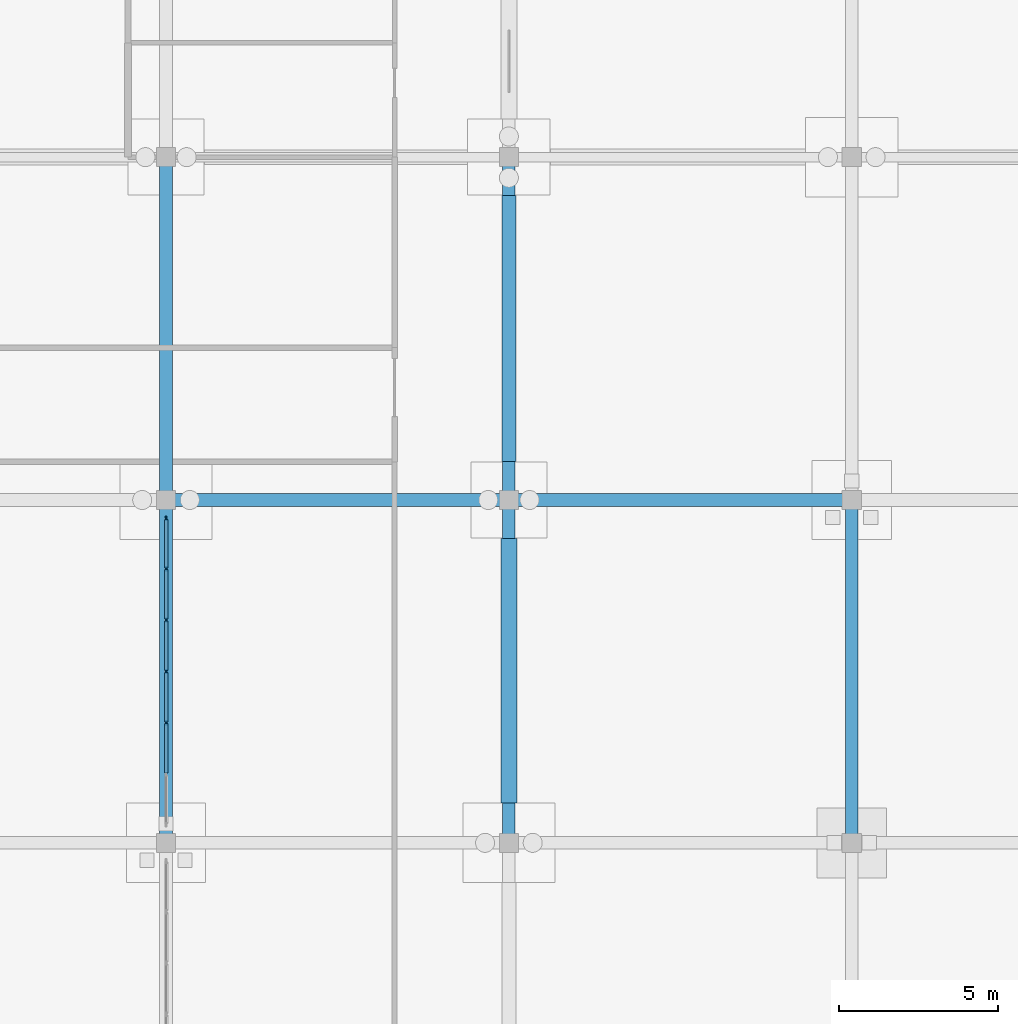
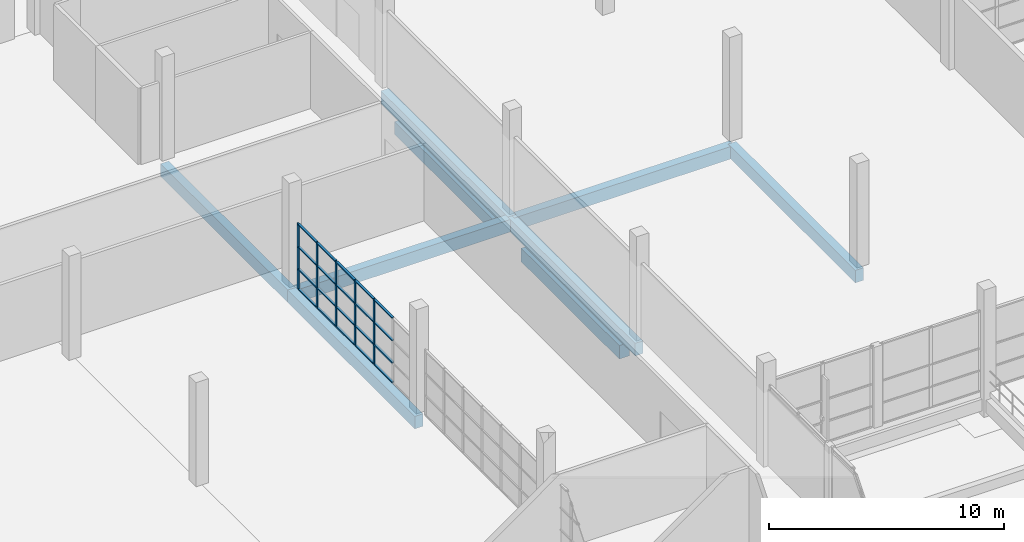
# One storey, part 45 of 138: 25 members, 9 beams, 1 element without a shape of its own.
"""IFC4 building model written with IfcOpenShell, lengths in metres."""

from ifc_helpers import new_model, si_unit, direction, frame, origin, origin_2d, place, context, subcontext, project, spatial, rectangle, extrude, material, material_profile, profile_set, type_object, element, aggregate, save


model = new_model("IFC4")

# Units and contexts
model_context = context("Model", 3, precision=1e-05, world=origin(), true_north=direction((0.0, 1.0)))
body_context = subcontext(model_context, "Body", "Model", "MODEL_VIEW")
ifc_project = project(units=[si_unit("LENGTHUNIT", "METRE"), si_unit("AREAUNIT", "SQUARE_METRE"), si_unit("VOLUMEUNIT", "CUBIC_METRE"), si_unit("PLANEANGLEUNIT", "RADIAN"), si_unit("MASSUNIT", "GRAM", prefix="KILO")], contexts=[model_context])

# Site, building, storey
site_placement = place(None, origin())
site = spatial("IfcSite", under=ifc_project, at=site_placement, CompositionType="ELEMENT")
building_placement = place(site_placement, origin())
building = spatial("IfcBuilding", under=site, at=building_placement, Name="Zwinboog Wholesale Market", CompositionType="ELEMENT")
storey_placement = place(building_placement, origin())
storey = spatial("IfcBuildingStorey", under=building, at=storey_placement, Name="L00", CompositionType="ELEMENT", Elevation=0.0)

# Beams
ifc_material_1 = material(Name="Precast concrete C45/55", Category="concrete")
ifc_material_profile_1 = material_profile(ifc_material_1, rectangle(XDim=0.39990234375, YDim=0.64990234375, at=origin_2d()), Name="PC 400x650")
ifc_profile_set_1 = profile_set([ifc_material_profile_1], Name="Precast concrete C45/55")
beam_type_1 = type_object("IfcBeamType", Name="BT-05", PredefinedType="BEAM", material=ifc_profile_set_1)
for number, where, z_axis, x_axis, name in (
    (1, (32.39990234375, 86.39990234375, -0.6669921875), (1.0, 0.0, 0.0), (0.0, 1.0, 0.0), "BG-05 (BMG-L00-0324-0864-0118)"),
    (2, (43.199951171875, 86.39990234375, -0.6669921875), (1.0, 0.0, 0.0), (0.0, 1.0, 0.0), "BG-05 (BMG-L00-0432-0864-0119)"),
):
    element("IfcBeam", number, at=place(storey_placement, frame(where, z_axis=z_axis, x_axis=x_axis)), inside=storey, type_object=beam_type_1, Name=name, PredefinedType="BEAM", context=body_context, shape_type="SweptSolid", body=[
        extrude(rectangle(XDim=0.39990234375, YDim=0.64990234375, at=origin_2d()), origin(), (0.0, 0.0, 1.0), 10.800048828125),
    ])
beam_1_placement = place(storey_placement, frame((32.39990234375, 75.60009765625, -0.6669921875), z_axis=(0.0, 1.0, 0.0), x_axis=(-1.0, 0.0, 0.0)))
element("IfcBeam", 3, at=beam_1_placement, inside=storey, type_object=beam_type_1, Name="BG-05 (BMG-L00-0324-0756-0254)", PredefinedType="BEAM", context=body_context, shape_type="SweptSolid", body=[
    extrude(rectangle(XDim=0.39990234375, YDim=0.64990234375, at=origin_2d()), origin(), (0.0, 0.0, 1.0), 10.7998046875),
])
beam_2_placement = place(storey_placement, frame((32.39990234375, 86.39990234375, -0.6669921875), z_axis=(0.0, 1.0, 0.0), x_axis=(-1.0, 0.0, 0.0)))
element("IfcBeam", 4, at=beam_2_placement, inside=storey, type_object=beam_type_1, Name="BG-05 (BMG-L00-0324-0864-0255)", PredefinedType="BEAM", context=body_context, shape_type="SweptSolid", body=[
    extrude(rectangle(XDim=0.39990234375, YDim=0.64990234375, at=origin_2d()), origin(), (0.0, 0.0, 1.0), 10.800048828125),
])
beam_3_placement = place(storey_placement, frame((43.199951171875, 75.60009765625, -0.6669921875), z_axis=(0.0, 1.0, 0.0), x_axis=(-1.0, 0.0, 0.0)))
element("IfcBeam", 5, at=beam_3_placement, inside=storey, type_object=beam_type_1, Name="BG-05 (BMG-L00-0432-0756-0266)", PredefinedType="BEAM", context=body_context, shape_type="SweptSolid", body=[
    extrude(rectangle(XDim=0.39990234375, YDim=0.64990234375, at=origin_2d()), origin(), (0.0, 0.0, 1.0), 10.7998046875),
])
beam_4_placement = place(storey_placement, frame((43.199951171875, 86.39990234375, -0.6669921875), z_axis=(0.0, 1.0, 0.0), x_axis=(-1.0, 0.0, 0.0)))
element("IfcBeam", 6, at=beam_4_placement, inside=storey, type_object=beam_type_1, Name="BG-05 (BMG-L00-0432-0864-0267)", PredefinedType="BEAM", context=body_context, shape_type="SweptSolid", body=[
    extrude(rectangle(XDim=0.39990234375, YDim=0.64990234375, at=origin_2d()), origin(), (0.0, 0.0, 1.0), 10.800048828125),
])
beam_5_placement = place(storey_placement, frame((54.0, 75.60009765625, -0.659912109375), z_axis=(0.0, 1.0, 0.0), x_axis=(-1.0, 0.0, 0.0)))
element("IfcBeam", 7, at=beam_5_placement, inside=storey, type_object=beam_type_1, Name="BG-05 (BMG-L00-0540-0756-0272)", PredefinedType="BEAM", context=body_context, shape_type="SweptSolid", body=[
    extrude(rectangle(XDim=0.39990234375, YDim=0.64990234375, at=origin_2d()), origin(), (0.0, 0.0, 1.0), 10.7998046875),
])
ifc_material_2 = material(Name="Concrete C35/45", Category="concrete")
ifc_material_profile_2 = material_profile(ifc_material_2, rectangle(XDim=0.5, YDim=0.699951171875, at=origin_2d()), Name="RC 500x700")
ifc_profile_set_2 = profile_set([ifc_material_profile_2], Name="Concrete C35/45")
beam_type_2 = type_object("IfcBeamType", Name="BT-12", PredefinedType="USERDEFINED", material=ifc_profile_set_2)
beam_6_placement = place(storey_placement, frame((43.199951171875, 76.85498046875, -1.550048828125), z_axis=(0.0, 1.0, 0.0), x_axis=(-1.0, 0.0, 0.0)))
element("IfcBeam", 8, at=beam_6_placement, inside=storey, type_object=beam_type_2, Name="GB-01 (BM-GB-0146)", ObjectType="GROUND_BEAM", PredefinedType="USERDEFINED", context=body_context, shape_type="SweptSolid", body=[
    extrude(rectangle(XDim=0.5, YDim=0.699951171875, at=origin_2d()), origin(), (0.0, 0.0, 1.0), 8.340087890625),
])
ifc_material_profile_3 = material_profile(ifc_material_2, rectangle(XDim=0.449951171875, YDim=0.64990234375, at=origin_2d()), Name="RC 450x650")
ifc_profile_set_3 = profile_set([ifc_material_profile_3], Name="Concrete C35/45")
beam_type_3 = type_object("IfcBeamType", Name="BT-13", PredefinedType="USERDEFINED", material=ifc_profile_set_3)
beam_7_placement = place(storey_placement, frame((43.199951171875, 87.60498046875, -1.52490234375), z_axis=(0.0, 1.0, 0.0), x_axis=(-1.0, 0.0, 0.0)))
element("IfcBeam", 9, at=beam_7_placement, inside=storey, type_object=beam_type_3, Name="GB-02 (BM-GB-0147)", ObjectType="GROUND_BEAM", PredefinedType="USERDEFINED", context=body_context, shape_type="SweptSolid", body=[
    extrude(rectangle(XDim=0.449951171875, YDim=0.64990234375, at=origin_2d()), origin(), (0.0, 0.0, 1.0), 8.39013671875),
])

# Curtain wall, members
ifc_material_3 = material(Name="Aluminium thermally broken curtain wall", Category="aluminium")
curtain_wall_type = type_object("IfcCurtainWallType", Name="CWT-INT-STALL", PredefinedType="USERDEFINED", material=ifc_material_3)
curtain_wall_placement = place(storey_placement, origin())
curtain_wall = element("IfcCurtainWall", 10, at=curtain_wall_placement, inside=storey, type_object=curtain_wall_type, Name="CW-07 (CW-STL-224)", ObjectType="STOREFRONT_GLAZING", PredefinedType="USERDEFINED")
ifc_material_4 = material(Name="Aluminium EN AW-6060", Category="aluminium")
ifc_material_profile_4 = material_profile(ifc_material_4, rectangle(XDim=0.06005859375, YDim=0.14990234375, at=origin_2d()), Name="AL 60x150")
ifc_profile_set_4 = profile_set([ifc_material_profile_4], Name="Aluminium EN AW-6060")
member_type_1 = type_object("IfcMemberType", Name="CWM-INT-60x120", PredefinedType="MULLION", material=ifc_profile_set_4)
member_1_placement = place(storey_placement, frame((32.39990234375, 79.38330078125, 0.0), z_axis=(0.0, 0.0, 1.0), x_axis=(-1.0, 0.0, 0.0)))
member_1 = element("IfcMember", 11, at=member_1_placement, type_object=member_type_1, Name="CW-07 mullion 3", PredefinedType="MULLION", context=body_context, shape_type="SweptSolid", body=[
    extrude(rectangle(XDim=0.06005859375, YDim=0.14990234375, at=origin_2d()), origin(), (0.0, 0.0, 1.0), 3.39990234375),
])
member_2_placement = place(storey_placement, frame((32.39990234375, 81.0, 0.0), z_axis=(0.0, 0.0, 1.0), x_axis=(-1.0, 0.0, 0.0)))
member_2 = element("IfcMember", 12, at=member_2_placement, type_object=member_type_1, Name="CW-07 mullion 4", PredefinedType="MULLION", context=body_context, shape_type="SweptSolid", body=[
    extrude(rectangle(XDim=0.06005859375, YDim=0.14990234375, at=origin_2d()), origin(), (0.0, 0.0, 1.0), 3.39990234375),
])
member_3_placement = place(storey_placement, frame((32.39990234375, 82.61669921875, 0.0), z_axis=(0.0, 0.0, 1.0), x_axis=(-1.0, 0.0, 0.0)))
member_3 = element("IfcMember", 13, at=member_3_placement, type_object=member_type_1, Name="CW-07 mullion 5", PredefinedType="MULLION", context=body_context, shape_type="SweptSolid", body=[
    extrude(rectangle(XDim=0.06005859375, YDim=0.14990234375, at=origin_2d()), origin(), (0.0, 0.0, 1.0), 3.39990234375),
])
member_4_placement = place(storey_placement, frame((32.39990234375, 84.2333984375, 0.0), z_axis=(0.0, 0.0, 1.0), x_axis=(-1.0, 0.0, 0.0)))
member_4 = element("IfcMember", 14, at=member_4_placement, type_object=member_type_1, Name="CW-07 mullion 6", PredefinedType="MULLION", context=body_context, shape_type="SweptSolid", body=[
    extrude(rectangle(XDim=0.06005859375, YDim=0.14990234375, at=origin_2d()), origin(), (0.0, 0.0, 1.0), 3.39990234375),
])
member_5_placement = place(storey_placement, frame((32.39990234375, 85.820068359375, 0.0), z_axis=(0.0, 0.0, 1.0), x_axis=(-1.0, 0.0, 0.0)))
member_5 = element("IfcMember", 15, at=member_5_placement, type_object=member_type_1, Name="CW-07 mullion 7", PredefinedType="MULLION", context=body_context, shape_type="SweptSolid", body=[
    extrude(rectangle(XDim=0.06005859375, YDim=0.14990234375, at=origin_2d()), origin(), (0.0, 0.0, 1.0), 3.39990234375),
])
ifc_material_profile_5 = material_profile(ifc_material_4, rectangle(XDim=0.110107421875, YDim=0.06005859375, at=origin_2d()), Name="AL 60x110")
ifc_profile_set_5 = profile_set([ifc_material_profile_5], Name="Aluminium EN AW-6060")
member_type_2 = type_object("IfcMemberType", Name="CWT-INT-60x100", PredefinedType="USERDEFINED", material=ifc_profile_set_5)
member_6_placement = place(storey_placement, frame((32.39990234375, 77.796630859375, 0.030029296875), z_axis=(0.0, 1.0, 0.0), x_axis=(-1.0, 0.0, 0.0)))
member_6 = element("IfcMember", 16, at=member_6_placement, type_object=member_type_2, Name="CW-07 transom 2.1", ObjectType="TRANSOM", PredefinedType="USERDEFINED", context=body_context, shape_type="SweptSolid", body=[
    extrude(rectangle(XDim=0.110107421875, YDim=0.06005859375, at=origin_2d()), origin(), (0.0, 0.0, 1.0), 1.556640625),
])
member_7_placement = place(storey_placement, frame((32.39990234375, 77.796630859375, 1.050048828125), z_axis=(0.0, 1.0, 0.0), x_axis=(-1.0, 0.0, 0.0)))
member_7 = element("IfcMember", 17, at=member_7_placement, type_object=member_type_2, Name="CW-07 transom 2.2", ObjectType="TRANSOM", PredefinedType="USERDEFINED", context=body_context, shape_type="SweptSolid", body=[
    extrude(rectangle(XDim=0.110107421875, YDim=0.06005859375, at=origin_2d()), origin(), (0.0, 0.0, 1.0), 1.556640625),
])
member_8_placement = place(storey_placement, frame((32.39990234375, 77.796630859375, 2.199951171875), z_axis=(0.0, 1.0, 0.0), x_axis=(-1.0, 0.0, 0.0)))
member_8 = element("IfcMember", 18, at=member_8_placement, type_object=member_type_2, Name="CW-07 transom 2.3", ObjectType="TRANSOM", PredefinedType="USERDEFINED", context=body_context, shape_type="SweptSolid", body=[
    extrude(rectangle(XDim=0.110107421875, YDim=0.06005859375, at=origin_2d()), origin(), (0.0, 0.0, 1.0), 1.556640625),
])
member_9_placement = place(storey_placement, frame((32.39990234375, 77.796630859375, 3.3701171875), z_axis=(0.0, 1.0, 0.0), x_axis=(-1.0, 0.0, 0.0)))
member_9 = element("IfcMember", 19, at=member_9_placement, type_object=member_type_2, Name="CW-07 transom 2.4", ObjectType="TRANSOM", PredefinedType="USERDEFINED", context=body_context, shape_type="SweptSolid", body=[
    extrude(rectangle(XDim=0.110107421875, YDim=0.06005859375, at=origin_2d()), origin(), (0.0, 0.0, 1.0), 1.556640625),
])
member_10_placement = place(storey_placement, frame((32.39990234375, 79.413330078125, 0.030029296875), z_axis=(0.0, 1.0, 0.0), x_axis=(-1.0, 0.0, 0.0)))
member_10 = element("IfcMember", 20, at=member_10_placement, type_object=member_type_2, Name="CW-07 transom 3.1", ObjectType="TRANSOM", PredefinedType="USERDEFINED", context=body_context, shape_type="SweptSolid", body=[
    extrude(rectangle(XDim=0.110107421875, YDim=0.06005859375, at=origin_2d()), origin(), (0.0, 0.0, 1.0), 1.556640625),
])
member_11_placement = place(storey_placement, frame((32.39990234375, 79.413330078125, 1.050048828125), z_axis=(0.0, 1.0, 0.0), x_axis=(-1.0, 0.0, 0.0)))
member_11 = element("IfcMember", 21, at=member_11_placement, type_object=member_type_2, Name="CW-07 transom 3.2", ObjectType="TRANSOM", PredefinedType="USERDEFINED", context=body_context, shape_type="SweptSolid", body=[
    extrude(rectangle(XDim=0.110107421875, YDim=0.06005859375, at=origin_2d()), origin(), (0.0, 0.0, 1.0), 1.556640625),
])
member_12_placement = place(storey_placement, frame((32.39990234375, 79.413330078125, 2.199951171875), z_axis=(0.0, 1.0, 0.0), x_axis=(-1.0, 0.0, 0.0)))
member_12 = element("IfcMember", 22, at=member_12_placement, type_object=member_type_2, Name="CW-07 transom 3.3", ObjectType="TRANSOM", PredefinedType="USERDEFINED", context=body_context, shape_type="SweptSolid", body=[
    extrude(rectangle(XDim=0.110107421875, YDim=0.06005859375, at=origin_2d()), origin(), (0.0, 0.0, 1.0), 1.556640625),
])
member_13_placement = place(storey_placement, frame((32.39990234375, 79.413330078125, 3.3701171875), z_axis=(0.0, 1.0, 0.0), x_axis=(-1.0, 0.0, 0.0)))
member_13 = element("IfcMember", 23, at=member_13_placement, type_object=member_type_2, Name="CW-07 transom 3.4", ObjectType="TRANSOM", PredefinedType="USERDEFINED", context=body_context, shape_type="SweptSolid", body=[
    extrude(rectangle(XDim=0.110107421875, YDim=0.06005859375, at=origin_2d()), origin(), (0.0, 0.0, 1.0), 1.556640625),
])
member_14_placement = place(storey_placement, frame((32.39990234375, 81.030029296875, 0.030029296875), z_axis=(0.0, 1.0, 0.0), x_axis=(-1.0, 0.0, 0.0)))
member_14 = element("IfcMember", 24, at=member_14_placement, type_object=member_type_2, Name="CW-07 transom 4.1", ObjectType="TRANSOM", PredefinedType="USERDEFINED", context=body_context, shape_type="SweptSolid", body=[
    extrude(rectangle(XDim=0.110107421875, YDim=0.06005859375, at=origin_2d()), origin(), (0.0, 0.0, 1.0), 1.556640625),
])
member_15_placement = place(storey_placement, frame((32.39990234375, 81.030029296875, 1.050048828125), z_axis=(0.0, 1.0, 0.0), x_axis=(-1.0, 0.0, 0.0)))
member_15 = element("IfcMember", 25, at=member_15_placement, type_object=member_type_2, Name="CW-07 transom 4.2", ObjectType="TRANSOM", PredefinedType="USERDEFINED", context=body_context, shape_type="SweptSolid", body=[
    extrude(rectangle(XDim=0.110107421875, YDim=0.06005859375, at=origin_2d()), origin(), (0.0, 0.0, 1.0), 1.556640625),
])
member_16_placement = place(storey_placement, frame((32.39990234375, 81.030029296875, 2.199951171875), z_axis=(0.0, 1.0, 0.0), x_axis=(-1.0, 0.0, 0.0)))
member_16 = element("IfcMember", 26, at=member_16_placement, type_object=member_type_2, Name="CW-07 transom 4.3", ObjectType="TRANSOM", PredefinedType="USERDEFINED", context=body_context, shape_type="SweptSolid", body=[
    extrude(rectangle(XDim=0.110107421875, YDim=0.06005859375, at=origin_2d()), origin(), (0.0, 0.0, 1.0), 1.556640625),
])
member_17_placement = place(storey_placement, frame((32.39990234375, 81.030029296875, 3.3701171875), z_axis=(0.0, 1.0, 0.0), x_axis=(-1.0, 0.0, 0.0)))
member_17 = element("IfcMember", 27, at=member_17_placement, type_object=member_type_2, Name="CW-07 transom 4.4", ObjectType="TRANSOM", PredefinedType="USERDEFINED", context=body_context, shape_type="SweptSolid", body=[
    extrude(rectangle(XDim=0.110107421875, YDim=0.06005859375, at=origin_2d()), origin(), (0.0, 0.0, 1.0), 1.556640625),
])
member_18_placement = place(storey_placement, frame((32.39990234375, 82.646728515625, 0.030029296875), z_axis=(0.0, 1.0, 0.0), x_axis=(-1.0, 0.0, 0.0)))
member_18 = element("IfcMember", 28, at=member_18_placement, type_object=member_type_2, Name="CW-07 transom 5.1", ObjectType="TRANSOM", PredefinedType="USERDEFINED", context=body_context, shape_type="SweptSolid", body=[
    extrude(rectangle(XDim=0.110107421875, YDim=0.06005859375, at=origin_2d()), origin(), (0.0, 0.0, 1.0), 1.556640625),
])
member_19_placement = place(storey_placement, frame((32.39990234375, 82.646728515625, 1.050048828125), z_axis=(0.0, 1.0, 0.0), x_axis=(-1.0, 0.0, 0.0)))
member_19 = element("IfcMember", 29, at=member_19_placement, type_object=member_type_2, Name="CW-07 transom 5.2", ObjectType="TRANSOM", PredefinedType="USERDEFINED", context=body_context, shape_type="SweptSolid", body=[
    extrude(rectangle(XDim=0.110107421875, YDim=0.06005859375, at=origin_2d()), origin(), (0.0, 0.0, 1.0), 1.556640625),
])
member_20_placement = place(storey_placement, frame((32.39990234375, 82.646728515625, 2.199951171875), z_axis=(0.0, 1.0, 0.0), x_axis=(-1.0, 0.0, 0.0)))
member_20 = element("IfcMember", 30, at=member_20_placement, type_object=member_type_2, Name="CW-07 transom 5.3", ObjectType="TRANSOM", PredefinedType="USERDEFINED", context=body_context, shape_type="SweptSolid", body=[
    extrude(rectangle(XDim=0.110107421875, YDim=0.06005859375, at=origin_2d()), origin(), (0.0, 0.0, 1.0), 1.556640625),
])
member_21_placement = place(storey_placement, frame((32.39990234375, 82.646728515625, 3.3701171875), z_axis=(0.0, 1.0, 0.0), x_axis=(-1.0, 0.0, 0.0)))
member_21 = element("IfcMember", 31, at=member_21_placement, type_object=member_type_2, Name="CW-07 transom 5.4", ObjectType="TRANSOM", PredefinedType="USERDEFINED", context=body_context, shape_type="SweptSolid", body=[
    extrude(rectangle(XDim=0.110107421875, YDim=0.06005859375, at=origin_2d()), origin(), (0.0, 0.0, 1.0), 1.556640625),
])
member_22_placement = place(storey_placement, frame((32.39990234375, 84.263427734375, 0.030029296875), z_axis=(0.0, 1.0, 0.0), x_axis=(-1.0, 0.0, 0.0)))
member_22 = element("IfcMember", 32, at=member_22_placement, type_object=member_type_2, Name="CW-07 transom 6.1", ObjectType="TRANSOM", PredefinedType="USERDEFINED", context=body_context, shape_type="SweptSolid", body=[
    extrude(rectangle(XDim=0.110107421875, YDim=0.06005859375, at=origin_2d()), origin(), (0.0, 0.0, 1.0), 1.526611328125),
])
member_23_placement = place(storey_placement, frame((32.39990234375, 84.263427734375, 1.050048828125), z_axis=(0.0, 1.0, 0.0), x_axis=(-1.0, 0.0, 0.0)))
member_23 = element("IfcMember", 33, at=member_23_placement, type_object=member_type_2, Name="CW-07 transom 6.2", ObjectType="TRANSOM", PredefinedType="USERDEFINED", context=body_context, shape_type="SweptSolid", body=[
    extrude(rectangle(XDim=0.110107421875, YDim=0.06005859375, at=origin_2d()), origin(), (0.0, 0.0, 1.0), 1.526611328125),
])
member_24_placement = place(storey_placement, frame((32.39990234375, 84.263427734375, 2.199951171875), z_axis=(0.0, 1.0, 0.0), x_axis=(-1.0, 0.0, 0.0)))
member_24 = element("IfcMember", 34, at=member_24_placement, type_object=member_type_2, Name="CW-07 transom 6.3", ObjectType="TRANSOM", PredefinedType="USERDEFINED", context=body_context, shape_type="SweptSolid", body=[
    extrude(rectangle(XDim=0.110107421875, YDim=0.06005859375, at=origin_2d()), origin(), (0.0, 0.0, 1.0), 1.526611328125),
])
member_25_placement = place(storey_placement, frame((32.39990234375, 84.263427734375, 3.3701171875), z_axis=(0.0, 1.0, 0.0), x_axis=(-1.0, 0.0, 0.0)))
member_25 = element("IfcMember", 35, at=member_25_placement, type_object=member_type_2, Name="CW-07 transom 6.4", ObjectType="TRANSOM", PredefinedType="USERDEFINED", context=body_context, shape_type="SweptSolid", body=[
    extrude(rectangle(XDim=0.110107421875, YDim=0.06005859375, at=origin_2d()), origin(), (0.0, 0.0, 1.0), 1.526611328125),
])
aggregate(curtain_wall, [member_1, member_2, member_3, member_4, member_5, member_6, member_7, member_8, member_9, member_10, member_11, member_12, member_13, member_14, member_15, member_16, member_17, member_18, member_19, member_20, member_21, member_22, member_23, member_24, member_25])

save(model, "model.ifc")
